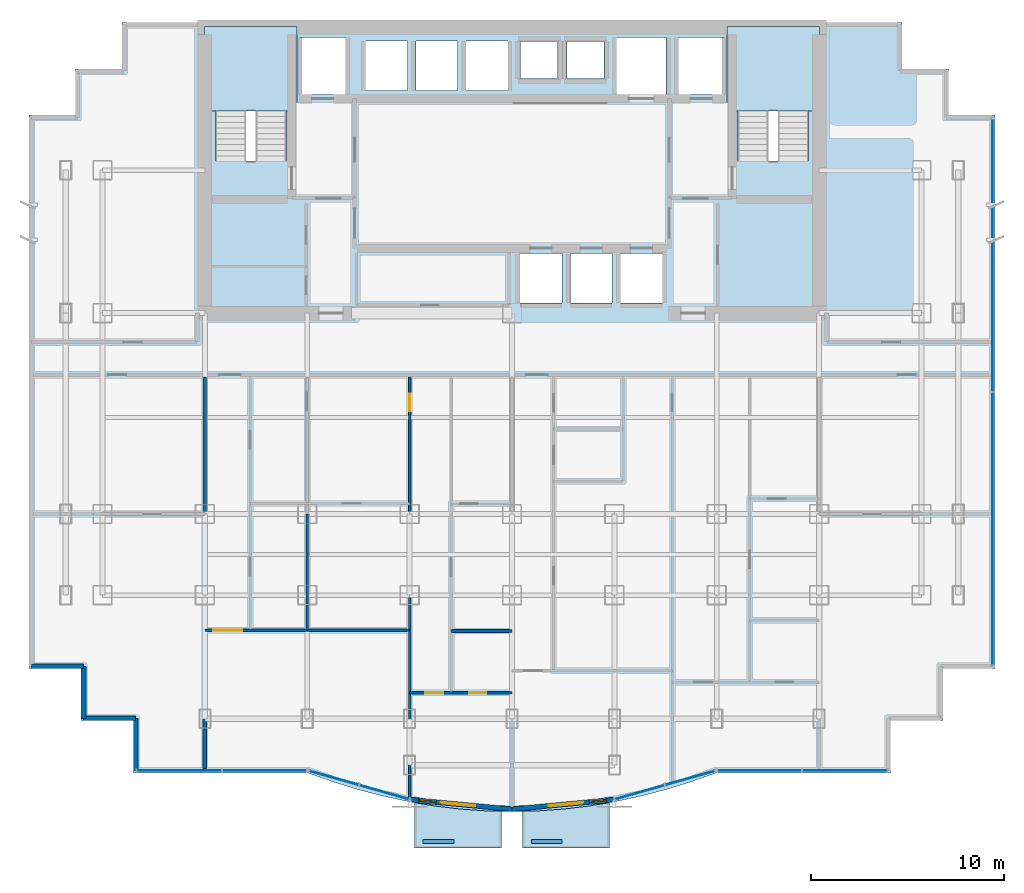
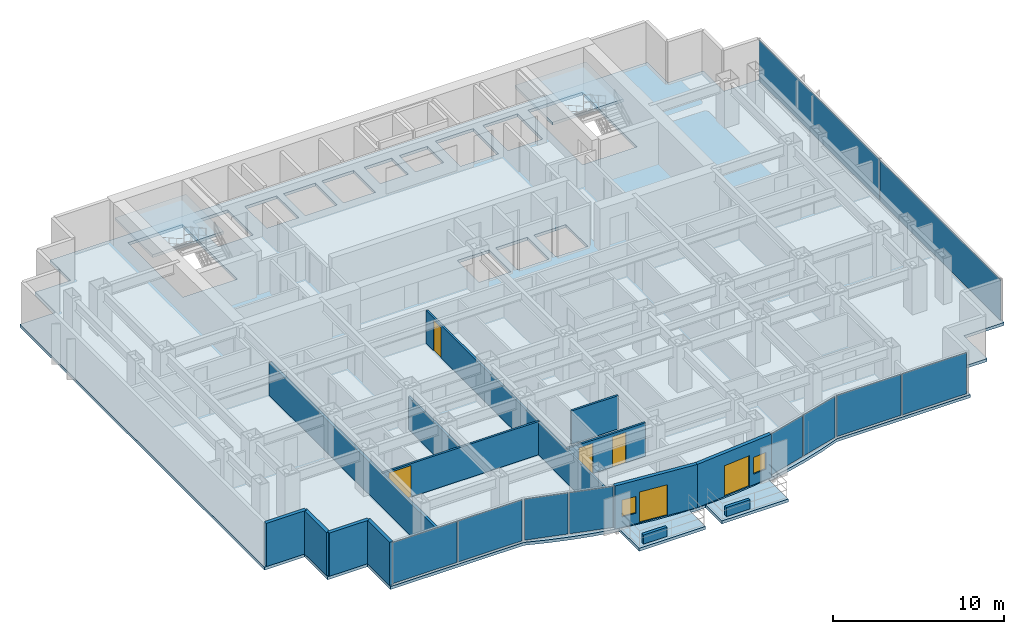
# One storey, part 6 of 12: 14 walls, 10 plates, 6 doors, 5 slabs, 2 windows, 8 openings, 7 elements without a shape of their own.
"""IFC4 building model written with IfcOpenShell, lengths in metres."""

import ifcopenshell
import ifcopenshell.guid

model = None  # the IFC model being written
_history = None  # IfcOwnerHistory: only IFC2X3 demands one
_inside = {}  # id of a spatial element -> (the spatial element, [elements in it])
_under = {}  # id of a project, library or spatial element -> (it, [spatial elements below it])
_declared = {}  # id of a project -> (the project, [libraries it declares])
_typed = {}  # id of a type object -> (the type object, [elements of that type])
_made_of = {}  # id of a material, layer set ... -> (it, [elements and type objects made of it])


def new_model(schema):
    """Start an empty IFC model of exactly this schema.

    Asked for "IFC4X3", IfcOpenShell would pick the latest addendum, in which some entities
    have other attributes; the version numbers below select the first issue.
    IFC2X3 requires an IfcOwnerHistory on every rooted entity: one is made here for all.
    """
    global model, _history
    if schema == "IFC4X3":
        model = ifcopenshell.file(schema_version=(4, 3, 0, 0))
    else:
        model = ifcopenshell.file(schema=schema)
    _inside.clear()
    _under.clear()
    _declared.clear()
    _typed.clear()
    _made_of.clear()
    _history = None
    if model.schema == "IFC2X3":
        org = make("IfcOrganization", Name="unknown")
        user = make(
            "IfcPersonAndOrganization",
            ThePerson=make("IfcPerson", FamilyName="unknown"),
            TheOrganization=org,
        )
        app = make(
            "IfcApplication",
            ApplicationDeveloper=org,
            Version="unknown",
            ApplicationFullName="unknown",
            ApplicationIdentifier="unknown",
        )
        _history = make(
            "IfcOwnerHistory",
            OwningUser=user,
            OwningApplication=app,
            ChangeAction="ADDED",
            CreationDate=0,
        )
    return model


def make(cls, **values):
    """One entity of the class cls with the attributes given. An attribute that is None is left unset."""
    return model.create_entity(
        cls, **{name: value for name, value in values.items() if value is not None}
    )


def rooted(cls, **values):
    """An entity with a GlobalId (a new one), such as an element, a storey or a relation."""
    return make(cls, GlobalId=ifcopenshell.guid.new(), OwnerHistory=_history, **values)


def si_unit(unit_type, name, prefix=None):
    """IfcSIUnit, for example si_unit("LENGTHUNIT", "METRE", prefix="MILLI")."""
    return make("IfcSIUnit", UnitType=unit_type, Prefix=prefix, Name=name)


def assignment(units):
    """IfcUnitAssignment: the units of a project."""
    return None if units is None else make("IfcUnitAssignment", Units=units)


def point(xyz):
    """IfcCartesianPoint."""
    return None if xyz is None else make("IfcCartesianPoint", Coordinates=xyz)


def direction(xyz):
    """IfcDirection."""
    return None if xyz is None else make("IfcDirection", DirectionRatios=xyz)


def frame(location, z_axis=None, x_axis=None):
    """IfcAxis2Placement3D, a coordinate frame: its origin and axes. An axis left out is left unset."""
    return make(
        "IfcAxis2Placement3D",
        Location=point(location),
        Axis=direction(z_axis),
        RefDirection=direction(x_axis),
    )


def frame_2d(location, x_axis=None):
    """IfcAxis2Placement2D, a coordinate frame in the plane: its origin and x axis."""
    return make(
        "IfcAxis2Placement2D", Location=point(location), RefDirection=direction(x_axis)
    )


def origin():
    """The frame at (0, 0, 0) with its axes left unset."""
    return frame((0.0, 0.0, 0.0))


def origin_2d():
    """The frame at (0, 0) in the plane with its x axis left unset."""
    return frame_2d((0.0, 0.0))


def place(relative_to, where):
    """IfcLocalPlacement: puts the frame where relative to a parent placement (None: the world)."""
    return make(
        "IfcLocalPlacement", PlacementRelTo=relative_to, RelativePlacement=where
    )


def context(
    kind, dimensions, precision=None, world=None, true_north=None, identifier=None
):
    """IfcGeometricRepresentationContext, for example the 3D "Model" context."""
    return make(
        "IfcGeometricRepresentationContext",
        ContextIdentifier=identifier,
        ContextType=kind,
        CoordinateSpaceDimension=dimensions,
        Precision=precision,
        WorldCoordinateSystem=world,
        TrueNorth=true_north,
    )


def subcontext(parent, identifier, kind, view, scale=None):
    """IfcGeometricRepresentationSubContext, for example "Body" below "Model"."""
    return make(
        "IfcGeometricRepresentationSubContext",
        ContextIdentifier=identifier,
        ContextType=kind,
        ParentContext=parent,
        TargetScale=scale,
        TargetView=view,
    )


def project(units=None, contexts=None):
    """IfcProject with its units and contexts."""
    return rooted(
        "IfcProject",
        Name="project",
        RepresentationContexts=contexts,
        UnitsInContext=assignment(units),
    )


def spatial(cls, under=None, at=None, **own):
    """A site, building, storey or space (cls), placed at a placement, below another one or the project."""
    s = rooted(cls, ObjectPlacement=at, **own)
    if under is not None:
        _under.setdefault(under.id(), (under, []))[1].append(s)
    return s


def polyline(points):
    """IfcPolyline through the points."""
    return make("IfcPolyline", Points=[point(p) for p in points])


def profile(cls, at=None, kind="AREA", **sizes):
    """A parametric profile (cls). Its sizes go by their IFC names, for example OverallWidth=200.0."""
    return make(cls, ProfileType=kind, Position=at, **sizes)


def rectangle(**sizes):
    """IfcRectangleProfileDef."""
    return profile("IfcRectangleProfileDef", **sizes)


def outline(outer, holes=None, kind="AREA"):
    """IfcArbitraryClosedProfileDef: a profile drawn as a closed curve; with holes, ...WithVoids."""
    if holes is None:
        return make("IfcArbitraryClosedProfileDef", ProfileType=kind, OuterCurve=outer)
    return make(
        "IfcArbitraryProfileDefWithVoids",
        ProfileType=kind,
        OuterCurve=outer,
        InnerCurves=holes,
    )


def extrude(swept, where, along, depth):
    """IfcExtrudedAreaSolid: the profile swept, set in the frame where, extruded along a direction by depth."""
    return make(
        "IfcExtrudedAreaSolid",
        SweptArea=swept,
        Position=where,
        ExtrudedDirection=direction(along),
        Depth=depth,
    )


def shape(context_of_items, identifier, shape_type, items):
    """IfcShapeRepresentation: the items that make up one representation, for example the "Body"."""
    return make(
        "IfcShapeRepresentation",
        ContextOfItems=context_of_items,
        RepresentationIdentifier=identifier,
        RepresentationType=shape_type,
        Items=items,
    )


def source(mapping_origin, context_of_items, identifier, shape_type, items):
    """IfcRepresentationMap: a shape defined once, which mapped items show again and again."""
    return make(
        "IfcRepresentationMap",
        MappingOrigin=mapping_origin,
        MappedRepresentation=shape(context_of_items, identifier, shape_type, items),
    )


def transform(
    local_origin,
    x_axis=None,
    y_axis=None,
    z_axis=None,
    scale=None,
    scale2=None,
    scale3=None,
    uniform=True,
):
    """IfcCartesianTransformationOperator3D, or its non-uniform kind. x_axis, y_axis, z_axis: its Axis1, 2, 3."""
    if uniform:
        return make(
            "IfcCartesianTransformationOperator3D",
            Axis1=direction(x_axis),
            Axis2=direction(y_axis),
            LocalOrigin=point(local_origin),
            Scale=scale,
            Axis3=direction(z_axis),
        )
    return make(
        "IfcCartesianTransformationOperator3DnonUniform",
        Axis1=direction(x_axis),
        Axis2=direction(y_axis),
        LocalOrigin=point(local_origin),
        Scale=scale,
        Axis3=direction(z_axis),
        Scale2=scale2,
        Scale3=scale3,
    )


def mapped(mapping_source, mapping_target):
    """IfcMappedItem: shows the shape of a source again, moved by a transform."""
    return make(
        "IfcMappedItem", MappingSource=mapping_source, MappingTarget=mapping_target
    )


def material(Name=None, Category=None):
    """IfcMaterial."""
    return make("IfcMaterial", Name=Name, Category=Category)


def layer(
    of_material, thickness, ventilated=None, Name=None, Category=None, Priority=None
):
    """IfcMaterialLayer: one layer of a wall or slab, of a material (None: an air gap)."""
    return make(
        "IfcMaterialLayer",
        Material=of_material,
        LayerThickness=thickness,
        IsVentilated=ventilated,
        Name=Name,
        Category=Category,
        Priority=Priority,
    )


def layer_set(layers, Name=None):
    """IfcMaterialLayerSet."""
    return make("IfcMaterialLayerSet", MaterialLayers=layers, LayerSetName=Name)


def made_of(thing, what):
    """Note that an element or type object is made of a material, layer set ...; save() writes the relation."""
    if what is not None:
        _made_of.setdefault(what.id(), (what, []))[1].append(thing)
    return thing


def type_object(cls, material=None, **own):
    """A type object (cls), such as IfcWallType, which elements share."""
    return made_of(rooted(cls, **own), material)


def element(
    cls,
    number,
    at=None,
    inside=None,
    cuts=None,
    type_object=None,
    material=None,
    context=None,
    identifier="Body",
    shape_type=None,
    held_by="IfcProductDefinitionShape",
    body=None,
    shapes=None,
    **own,
):
    """One element of the class cls, such as IfcWall. Its Tag is "e" and its number.

    at: its placement. inside: the storey or other place that contains it. cuts: it is an
    opening in that element (IfcRelVoidsElement). A single representation is given by context,
    identifier, shape_type and body (its items); several are given by shapes. held_by: the class
    of the entity that holds the representations. save() writes the other relations.
    """
    e = rooted(cls, Tag="e%d" % number, ObjectPlacement=at, **own)
    if body is not None:
        shapes = [shape(context, identifier, shape_type, body)]
    if shapes is not None:
        e.Representation = make(held_by, Representations=shapes)
    if inside is not None:
        _inside.setdefault(inside.id(), (inside, []))[1].append(e)
    if cuts is not None:
        rooted(
            "IfcRelVoidsElement", RelatingBuildingElement=cuts, RelatedOpeningElement=e
        )
    if type_object is not None:
        _typed.setdefault(type_object.id(), (type_object, []))[1].append(e)
    return made_of(e, material)


def fill(opening, filler):
    """IfcRelFillsElement: the door or window that sits in an opening."""
    return rooted(
        "IfcRelFillsElement",
        RelatingOpeningElement=opening,
        RelatedBuildingElement=filler,
    )


def aggregate(whole, parts):
    """IfcRelAggregates: a whole, such as a stair, and the parts it consists of."""
    return rooted("IfcRelAggregates", RelatingObject=whole, RelatedObjects=parts)


def save(model, path):
    """Write the relations noted so far, then the file.

    IfcRelAggregates (storeys below a building ...), IfcRelContainedInSpatialStructure (elements
    in a storey), IfcRelDefinesByType, IfcRelAssociatesMaterial and IfcRelDeclares: one each for
    every whole, place, type object, material and project.
    """
    for whole, parts in _under.values():
        aggregate(whole, parts)
    for where, things in _inside.values():
        rooted(
            "IfcRelContainedInSpatialStructure",
            RelatedElements=things,
            RelatingStructure=where,
        )
    for kind, things in _typed.values():
        rooted("IfcRelDefinesByType", RelatedObjects=things, RelatingType=kind)
    for what, things in _made_of.values():
        rooted("IfcRelAssociatesMaterial", RelatedObjects=things, RelatingMaterial=what)
    for by, libraries in _declared.values():
        rooted("IfcRelDeclares", RelatingContext=by, RelatedDefinitions=libraries)
    model.write(path)


model = new_model("IFC4")

# Units and contexts
model_context = context("Model", 3, precision=1e-05, world=origin(), true_north=direction((0.0, 1.0)))
body_context = subcontext(model_context, "Body", "Model", "MODEL_VIEW")
ifc_project = project(units=[si_unit("LENGTHUNIT", "METRE"), si_unit("AREAUNIT", "SQUARE_METRE"), si_unit("VOLUMEUNIT", "CUBIC_METRE"), si_unit("PLANEANGLEUNIT", "RADIAN"), si_unit("MASSUNIT", "GRAM", prefix="KILO")], contexts=[model_context])

# Site, building, storey
site_placement = place(None, origin())
site = spatial("IfcSite", under=ifc_project, at=site_placement, CompositionType="ELEMENT")
building_placement = place(site_placement, origin())
building = spatial("IfcBuilding", under=site, at=building_placement, Name="Qianlan Lanfeng Residences", CompositionType="ELEMENT")
storey_placement = place(building_placement, frame((0.0, 0.0, 101.5)))
storey = spatial("IfcBuildingStorey", under=building, at=storey_placement, Name="L27", CompositionType="ELEMENT", Elevation=101.5)

# Slabs
ifc_material_1 = material(Name="Concrete C42", Category="concrete")
ifc_layer_1 = layer(ifc_material_1, 0.2099609375)
ifc_layer_set_1 = layer_set([ifc_layer_1], Name="Concrete C42")
slab_type_1 = type_object("IfcSlabType", Name="S-BAL-210", PredefinedType="FLOOR", material=ifc_layer_set_1)
slab_1_placement = place(storey_placement, frame((0.0, 0.0, -0.2099609375)))
element("IfcSlab", 1, at=slab_1_placement, inside=storey, type_object=slab_type_1, Name="L27 Planted Tree Balcony Slab SB-W", PredefinedType="FLOOR", context=body_context, shape_type="SweptSolid", body=[
    extrude(outline(polyline([(25.949951171875, -0.5869140625), (25.177001953125, -0.569091796875), (23.85498046875, -0.47509765625), (22.531982421875, -0.319091796875), (21.449951171875, -0.139892578125), (21.449951171875, -2.5), (25.949951171875, -2.5), (25.949951171875, -0.5869140625)])), origin(), (0.0, 0.0, 1.0), 0.2099609375),
])
slab_2_placement = place(storey_placement, frame((0.0, 0.0, -0.2099609375)))
element("IfcSlab", 2, at=slab_2_placement, inside=storey, type_object=slab_type_1, Name="L27 Planted Tree Balcony Slab SB-E", PredefinedType="FLOOR", context=body_context, shape_type="SweptSolid", body=[
    extrude(outline(polyline([(31.550048828125, -0.139892578125), (30.467041015625, -0.319091796875), (29.14501953125, -0.47509765625), (27.822021484375, -0.569091796875), (27.050048828125, -0.5869140625), (27.050048828125, -2.5), (31.550048828125, -2.5), (31.550048828125, -0.139892578125)])), origin(), (0.0, 0.0, 1.0), 0.2099609375),
])
ifc_layer_2 = layer(ifc_material_1, 0.2099609375)
ifc_layer_set_2 = layer_set([ifc_layer_2], Name="Concrete C42")
slab_type_2 = type_object("IfcSlabType", Name="S-FL-210", PredefinedType="FLOOR", material=ifc_layer_set_2)
slab_3_placement = place(storey_placement, frame((0.0, 0.0, -0.2099609375)))
element("IfcSlab", 3, at=slab_3_placement, inside=storey, type_object=slab_type_2, Name="L27 Structural Floor Slab", PredefinedType="FLOOR", context=body_context, shape_type="SweptSolid", body=[
    extrude(outline(polyline([(1.5, 6.800048828125), (4.199951171875, 6.800048828125), (4.199951171875, 4.10009765625), (6.89990234375, 4.10009765625), (6.89990234375, 1.39990234375), (15.919921875, 1.39990234375), (17.241943359375, 0.930908203125), (18.56494140625, 0.52490234375), (19.886962890625, 0.180908203125), (21.2099609375, -0.10009765625), (22.531982421875, -0.319091796875), (23.85498046875, -0.47509765625), (25.177001953125, -0.569091796875), (26.5, -0.60009765625), (27.822021484375, -0.569091796875), (29.14501953125, -0.47509765625), (30.467041015625, -0.319091796875), (31.7900390625, -0.10009765625), (33.112060546875, 0.180908203125), (34.43505859375, 0.52490234375), (35.758056640625, 0.930908203125), (37.080078125, 1.39990234375), (46.10009765625, 1.39990234375), (46.10009765625, 4.10009765625), (48.800048828125, 4.10009765625), (48.800048828125, 6.800048828125), (51.5, 6.800048828125), (51.5, 35.449951171875), (49.10009765625, 35.449951171875), (49.10009765625, 37.85009765625), (46.699951171875, 37.85009765625), (46.699951171875, 40.25), (6.300048828125, 40.25), (6.300048828125, 37.85009765625), (3.89990234375, 37.85009765625), (3.89990234375, 35.449951171875), (1.5, 35.449951171875), (1.5, 6.800048828125)]), holes=[polyline([(11.139892578125, 33.080078125), (11.139892578125, 39.5), (14.820068359375, 39.5), (14.820068359375, 33.080078125), (11.139892578125, 33.080078125)]), polyline([(38.179931640625, 33.080078125), (38.179931640625, 39.5), (41.860107421875, 39.5), (41.860107421875, 33.080078125), (38.179931640625, 33.080078125)]), polyline([(15.52001953125, 36.52001953125), (15.52001953125, 39.47998046875), (17.8798828125, 39.47998046875), (17.8798828125, 36.52001953125), (15.52001953125, 36.52001953125)]), polyline([(35.1201171875, 36.52001953125), (35.1201171875, 39.47998046875), (37.47998046875, 39.47998046875), (37.47998046875, 36.52001953125), (35.1201171875, 36.52001953125)]), polyline([(31.919921875, 36.52001953125), (31.919921875, 39.47998046875), (34.47998046875, 39.47998046875), (34.47998046875, 36.52001953125), (31.919921875, 36.52001953125)]), polyline([(26.919921875, 25.719970703125), (26.919921875, 28.280029296875), (29.080078125, 28.280029296875), (29.080078125, 25.719970703125), (26.919921875, 25.719970703125)]), polyline([(29.52001953125, 25.719970703125), (29.52001953125, 28.280029296875), (31.679931640625, 28.280029296875), (31.679931640625, 25.719970703125), (29.52001953125, 25.719970703125)]), polyline([(32.1201171875, 25.719970703125), (32.1201171875, 28.280029296875), (34.280029296875, 28.280029296875), (34.280029296875, 25.719970703125), (32.1201171875, 25.719970703125)]), polyline([(18.919921875, 36.719970703125), (18.919921875, 39.280029296875), (21.080078125, 39.280029296875), (21.080078125, 36.719970703125), (18.919921875, 36.719970703125)]), polyline([(21.52001953125, 36.719970703125), (21.52001953125, 39.280029296875), (23.679931640625, 39.280029296875), (23.679931640625, 36.719970703125), (21.52001953125, 36.719970703125)]), polyline([(24.1201171875, 36.719970703125), (24.1201171875, 39.280029296875), (26.280029296875, 39.280029296875), (26.280029296875, 36.719970703125), (24.1201171875, 36.719970703125)]), polyline([(26.949951171875, 37.35009765625), (26.949951171875, 39.25), (28.85009765625, 39.25), (28.85009765625, 37.35009765625), (26.949951171875, 37.35009765625)]), polyline([(29.35009765625, 37.35009765625), (29.35009765625, 39.25), (31.25, 39.25), (31.25, 37.35009765625), (29.35009765625, 37.35009765625)])]), origin(), (0.0, 0.0, 1.0), 0.2099609375),
])

# Stair, slab
stair_type = type_object("IfcStairType", Name="STR-MAIN", PredefinedType="HALF_TURN_STAIR", material=ifc_material_1)
stair_1_placement = place(storey_placement, origin())
stair_1 = element("IfcStair", 4, at=stair_1_placement, inside=storey, type_object=stair_type, Name="L27 Exit Stair ST-1", PredefinedType="HALF_TURN_STAIR")
ifc_layer_3 = layer(ifc_material_1, 0.179931640625)
ifc_layer_set_3 = layer_set([ifc_layer_3], Name="Concrete C42")
slab_type_3 = type_object("IfcSlabType", Name="S-LND-180", PredefinedType="LANDING", material=ifc_layer_set_3)
slab_4_placement = place(storey_placement, frame((0.0, 0.0, 1.449951171875)))
slab_4 = element("IfcSlab", 5, at=slab_4_placement, type_object=slab_type_3, Name="ST-1 landing 1", PredefinedType="LANDING", context=body_context, shape_type="SweptSolid", body=[
    extrude(outline(polyline([(10.580078125, 35.659912109375), (15.3798828125, 35.659912109375), (15.3798828125, 40.050048828125), (10.580078125, 40.050048828125), (10.580078125, 35.659912109375)])), origin(), (0.0, 0.0, 1.0), 0.199951171875),
])
aggregate(stair_1, [slab_4])

stair_2_placement = place(storey_placement, origin())
stair_2 = element("IfcStair", 6, at=stair_2_placement, inside=storey, type_object=stair_type, Name="L27 Exit Stair ST-2", PredefinedType="HALF_TURN_STAIR")
slab_5_placement = place(storey_placement, frame((0.0, 0.0, 1.449951171875)))
slab_5 = element("IfcSlab", 7, at=slab_5_placement, type_object=slab_type_3, Name="ST-2 landing 1", PredefinedType="LANDING", context=body_context, shape_type="SweptSolid", body=[
    extrude(outline(polyline([(37.6201171875, 35.659912109375), (42.419921875, 35.659912109375), (42.419921875, 40.050048828125), (37.6201171875, 40.050048828125), (37.6201171875, 35.659912109375)])), origin(), (0.0, 0.0, 1.0), 0.199951171875),
])
aggregate(stair_2, [slab_5])

# Curtain wall, plates
ifc_material_2 = material(Name="Anodised Bronze Aluminium 6063-T6", Category="aluminium")
ifc_layer_4 = layer(ifc_material_2, 0.219970703125)
ifc_layer_set_4 = layer_set([ifc_layer_4], Name="Anodised Bronze Aluminium 6063-T6")
curtain_wall_type = type_object("IfcCurtainWallType", Name="CW-03", PredefinedType="NOTDEFINED", material=ifc_layer_set_4)
curtain_wall_1_placement = place(storey_placement, origin())
curtain_wall_1 = element("IfcCurtainWall", 8, at=curtain_wall_1_placement, inside=storey, type_object=curtain_wall_type, Name="L27 Unitised Curtain Wall CWR-L27-01 (CW-03)", PredefinedType="NOTDEFINED")
ifc_material_3 = material(Name="Clear Low-E Insulated Glass", Category="glass")
ifc_layer_5 = layer(ifc_material_3, 0.035888671875)
ifc_layer_set_5 = layer_set([ifc_layer_5], Name="Clear Low-E Insulated Glass")
plate_type_1 = type_object("IfcPlateType", Name="PNL-GLZ-CLR", PredefinedType="CURTAIN_PANEL", material=ifc_layer_set_5)
shared_shape_1 = source(origin(), body_context, "Body", "SweptSolid", [
    extrude(rectangle(XDim=4.342529296875, YDim=0.035888671875, at=origin_2d()), origin(), (0.0, 0.0, 1.0), 2.931884765625),
])
plate_1_placement = place(storey_placement, frame((9.270263671875, 1.52001953125, 0.0791015625), z_axis=(0.0, 0.0, 1.0), x_axis=(1.0, 0.0, 0.0)))
plate_1 = element("IfcPlate", 9, at=plate_1_placement, type_object=plate_type_1, Name="CWR-L27-01 Curtain Panel 1", PredefinedType="CURTAIN_PANEL", context=body_context, shape_type="MappedRepresentation", body=[
    mapped(shared_shape_1, transform((0.0, 0.0, 0.0), scale=1.0)),
])
plate_2_placement = place(storey_placement, frame((13.690673828125, 1.52001953125, 0.0791015625), z_axis=(0.0, 0.0, 1.0), x_axis=(1.0, 0.0, 0.0)))
plate_2 = element("IfcPlate", 10, at=plate_2_placement, type_object=plate_type_1, Name="CWR-L27-01 Curtain Panel 2", PredefinedType="CURTAIN_PANEL", context=body_context, shape_type="MappedRepresentation", body=[
    mapped(shared_shape_1, transform((0.0, 0.0, 0.0), scale=1.0)),
])
aggregate(curtain_wall_1, [plate_1, plate_2])

# Curtain wall, plate
curtain_wall_2_placement = place(storey_placement, origin())
curtain_wall_2 = element("IfcCurtainWall", 11, at=curtain_wall_2_placement, inside=storey, type_object=curtain_wall_type, Name="L27 Unitised Curtain Wall CWR-L27-04 (CW-03)", PredefinedType="NOTDEFINED")
plate_3_placement = place(storey_placement, frame((39.30908203125, 1.52001953125, 0.0791015625), z_axis=(0.0, 0.0, 1.0), x_axis=(1.0, 0.0, 0.0)))
plate_3 = element("IfcPlate", 12, at=plate_3_placement, type_object=plate_type_1, Name="CWR-L27-04 Curtain Panel 1", PredefinedType="CURTAIN_PANEL", context=body_context, shape_type="MappedRepresentation", body=[
    mapped(shared_shape_1, transform((0.0, 0.0, 0.0), scale=1.0)),
])

curtain_wall_3_placement = place(storey_placement, origin())
curtain_wall_3 = element("IfcCurtainWall", 13, at=curtain_wall_3_placement, inside=storey, type_object=curtain_wall_type, Name="L27 Unitised Curtain Wall CWR-L27-02 (CW-03)", PredefinedType="NOTDEFINED")
shared_shape_2 = source(origin(), body_context, "Body", "SweptSolid", [
    extrude(rectangle(XDim=2.632080078125, YDim=0.035888671875, at=origin_2d()), origin(), (0.0, 0.0, 1.0), 2.931884765625),
])
plate_4_placement = place(storey_placement, frame((17.282958984375, 1.138916015625, 0.0791015625), z_axis=(0.0, 0.0, 1.0), x_axis=(0.961989074302, -0.273087936247, 0.0)))
plate_4 = element("IfcPlate", 14, at=plate_4_placement, type_object=plate_type_1, Name="CWR-L27-02 Curtain Panel 1", PredefinedType="CURTAIN_PANEL", context=body_context, shape_type="MappedRepresentation", body=[
    mapped(shared_shape_2, transform((0.0, 0.0, 0.0), scale=1.0)),
])

# Curtain wall, plates
curtain_wall_4_placement = place(storey_placement, origin())
curtain_wall_4 = element("IfcCurtainWall", 15, at=curtain_wall_4_placement, inside=storey, type_object=curtain_wall_type, Name="L27 Unitised Curtain Wall CWR-L27-03 (CW-03)", PredefinedType="NOTDEFINED")
plate_5_placement = place(storey_placement, frame((33.110107421875, 0.39892578125, 0.0791015625), z_axis=(0.0, 0.0, 1.0), x_axis=(0.961989074302, 0.273087936247, 0.0)))
plate_5 = element("IfcPlate", 16, at=plate_5_placement, type_object=plate_type_1, Name="CWR-L27-03 Curtain Panel 1", PredefinedType="CURTAIN_PANEL", context=body_context, shape_type="MappedRepresentation", body=[
    mapped(shared_shape_2, transform((0.0, 0.0, 0.0), scale=1.0)),
])
plate_6_placement = place(storey_placement, frame((35.717041015625, 1.138916015625, 0.0791015625), z_axis=(0.0, 0.0, 1.0), x_axis=(0.961989074302, 0.273087936247, 0.0)))
plate_6 = element("IfcPlate", 17, at=plate_6_placement, type_object=plate_type_1, Name="CWR-L27-03 Curtain Panel 2", PredefinedType="CURTAIN_PANEL", context=body_context, shape_type="MappedRepresentation", body=[
    mapped(shared_shape_2, transform((0.0, 0.0, 0.0), scale=1.0)),
])
aggregate(curtain_wall_4, [plate_5, plate_6])

# Plate
ifc_material_4 = material(Name="Perforated Anodised Bronze Aluminium Panel", Category="aluminium")
ifc_layer_6 = layer(ifc_material_4, 0.0419921875)
ifc_layer_set_6 = layer_set([ifc_layer_6], Name="Perforated Anodised Bronze Aluminium Panel")
plate_type_2 = type_object("IfcPlateType", Name="PNL-PRF-BRZ", PredefinedType="CURTAIN_PANEL", material=ifc_layer_set_6)
shared_shape_3 = source(origin(), body_context, "Body", "SweptSolid", [
    extrude(rectangle(XDim=2.632080078125, YDim=0.0419921875, at=origin_2d()), origin(), (0.0, 0.0, 1.0), 2.931884765625),
])
plate_7_placement = place(storey_placement, frame((19.889892578125, 0.39892578125, 0.0791015625), z_axis=(0.0, 0.0, 1.0), x_axis=(0.961989074302, -0.273087936247, 0.0)))
plate_7 = element("IfcPlate", 18, at=plate_7_placement, type_object=plate_type_2, Name="CWR-L27-02 Curtain Panel 2", PredefinedType="CURTAIN_PANEL", context=body_context, shape_type="MappedRepresentation", body=[
    mapped(shared_shape_3, transform((0.0, 0.0, 0.0), scale=1.0)),
])

aggregate(curtain_wall_3, [plate_4, plate_7])

shared_shape_4 = source(origin(), body_context, "Body", "SweptSolid", [
    extrude(rectangle(XDim=4.342529296875, YDim=0.0419921875, at=origin_2d()), origin(), (0.0, 0.0, 1.0), 2.931884765625),
])
plate_8_placement = place(storey_placement, frame((43.729736328125, 1.52001953125, 0.0791015625), z_axis=(0.0, 0.0, 1.0), x_axis=(1.0, 0.0, 0.0)))
plate_8 = element("IfcPlate", 19, at=plate_8_placement, type_object=plate_type_2, Name="CWR-L27-04 Curtain Panel 2", PredefinedType="CURTAIN_PANEL", context=body_context, shape_type="MappedRepresentation", body=[
    mapped(shared_shape_4, transform((0.0, 0.0, 0.0), scale=1.0)),
])

aggregate(curtain_wall_2, [plate_3, plate_8])

# Curtain wall, plates
curtain_wall_5_placement = place(storey_placement, origin())
curtain_wall_5 = element("IfcCurtainWall", 20, at=curtain_wall_5_placement, inside=storey, type_object=curtain_wall_type, Name="L27 Unitised Curtain Wall CWR-L27-05 (CW-03)", PredefinedType="NOTDEFINED")
shared_shape_5 = source(origin(), body_context, "Body", "SweptSolid", [
    extrude(rectangle(XDim=14.0869140625, YDim=0.035888671875, at=origin_2d()), origin(), (0.0, 0.0, 1.0), 2.931884765625),
])
plate_9_placement = place(storey_placement, frame((51.3798828125, 14.04248046875, 0.0791015625), z_axis=(0.0, 0.0, 1.0), x_axis=(0.0, 1.0, 0.0)))
plate_9 = element("IfcPlate", 21, at=plate_9_placement, type_object=plate_type_1, Name="CWR-L27-05 Curtain Panel 1", PredefinedType="CURTAIN_PANEL", context=body_context, shape_type="MappedRepresentation", body=[
    mapped(shared_shape_5, transform((0.0, 0.0, 0.0), scale=1.0)),
])
plate_10_placement = place(storey_placement, frame((51.3798828125, 28.20751953125, 0.0791015625), z_axis=(0.0, 0.0, 1.0), x_axis=(0.0, 1.0, 0.0)))
plate_10 = element("IfcPlate", 22, at=plate_10_placement, type_object=plate_type_1, Name="CWR-L27-05 Curtain Panel 2", PredefinedType="CURTAIN_PANEL", context=body_context, shape_type="MappedRepresentation", body=[
    mapped(shared_shape_5, transform((0.0, 0.0, 0.0), scale=1.0)),
])
aggregate(curtain_wall_5, [plate_9, plate_10])

# Walls
ifc_layer_7 = layer(ifc_material_1, 0.239990234375)
ifc_layer_set_7 = layer_set([ifc_layer_7], Name="Concrete C42")
wall_type_1 = type_object("IfcWallType", Name="EW-240", PredefinedType="SOLIDWALL", material=ifc_layer_set_7)
for number, where, z_axis, x_axis, name in (
    (23, (1.6201171875, 6.919921875, 0.0), (0.0, 0.0, 1.0), (1.0, 0.0, 0.0), "L27 Exterior Facade Spandrel Wall 1"),
    (24, (4.320068359375, 6.919921875, 0.0), (0.0, 0.0, 1.0), (0.0, -1.0, 0.0), "L27 Exterior Facade Spandrel Wall 2"),
    (25, (4.320068359375, 4.219970703125, 0.0), (0.0, 0.0, 1.0), (1.0, 0.0, 0.0), "L27 Exterior Facade Spandrel Wall 3"),
    (26, (7.02001953125, 4.219970703125, 0.0), (0.0, 0.0, 1.0), (0.0, -1.0, 0.0), "L27 Exterior Facade Spandrel Wall 4"),
):
    element("IfcWall", number, at=place(storey_placement, frame(where, z_axis=z_axis, x_axis=x_axis)), inside=storey, type_object=wall_type_1, Name=name, PredefinedType="SOLIDWALL", context=body_context, shape_type="SweptSolid", body=[
        extrude(rectangle(XDim=2.699951171875, YDim=0.239990234375, at=frame_2d((1.35009765625, 0.0))), origin(), (0.0, 0.0, 1.0), 3.090087890625),
    ])

# Wall, openings, door, window
wall_1_placement = place(storey_placement, frame((21.23193359375, 0.01806640625, 0.0), z_axis=(0.0, 0.0, 1.0), x_axis=(0.995560760834, -0.094121046997, 0.0)))
wall_1 = element("IfcWall", 27, at=wall_1_placement, inside=storey, type_object=wall_type_1, Name="L27 Terrace/Balcony Access Exterior Wall 5", PredefinedType="SOLIDWALL", context=body_context, shape_type="SweptSolid", body=[
    extrude(rectangle(XDim=5.29150390625, YDim=0.239990234375, at=frame_2d((2.645751953125, 0.0))), origin(), (0.0, 0.0, 1.0), 3.090087890625),
])
opening_1_placement = place(wall_1_placement, frame((1.576904296875, 0.0, 0.0)))
opening_1 = element("IfcOpeningElement", 28, at=opening_1_placement, cuts=wall_1, Name="Opening L27-D-SB-W", PredefinedType="OPENING", context=body_context, shape_type="SweptSolid", body=[
    extrude(rectangle(XDim=1.800048828125, YDim=2.199951171875, at=frame_2d((0.89990234375, 1.10009765625))), frame((0.0, 0.1298828125, 0.0), z_axis=(0.0, -1.0, 0.0), x_axis=(1.0, 0.0, 0.0)), (0.0, 0.0, 1.0), 0.260009765625),
])
opening_2_placement = place(wall_1_placement, frame((0.449951171875, 0.0, 0.75)))
opening_2 = element("IfcOpeningElement", 29, at=opening_2_placement, cuts=wall_1, Name="Opening W-04", PredefinedType="OPENING", context=body_context, shape_type="SweptSolid", body=[
    extrude(rectangle(XDim=0.89990234375, YDim=1.199951171875, at=frame_2d((0.449951171875, 0.60009765625))), frame((0.0, 0.1298828125, 0.0), z_axis=(0.0, -1.0, 0.0), x_axis=(1.0, 0.0, 0.0)), (0.0, 0.0, 1.0), 0.260009765625),
])
ifc_material_5 = material(Name="Anodised Bronze Aluminium Framed Glass", Category="aluminium")
door_type_1 = type_object("IfcDoorType", Name="DT-BAL1", OperationType="NOTDEFINED", PredefinedType="DOOR", material=ifc_material_5)
door_1_placement = place(opening_1_placement, frame((1.800048828125, 0.0, 0.0), z_axis=(0.0, 0.0, 1.0), x_axis=(-1.0, 0.0, 0.0)))
door_1 = element("IfcDoor", 30, at=door_1_placement, inside=storey, type_object=door_type_1, Name="L27 Exterior Access Door SB-W", OperationType="DOUBLE_DOOR_SLIDING", OverallHeight=2.199951171875, OverallWidth=1.800048828125, PredefinedType="DOOR", context=body_context, shape_type="SweptSolid", body=[
    extrude(rectangle(XDim=1.800048828125, YDim=2.199951171875, at=frame_2d((0.89990234375, 1.10009765625))), frame((0.0, 0.02490234375, 0.0), z_axis=(0.0, -1.0, 0.0), x_axis=(1.0, 0.0, 0.0)), (0.0, 0.0, 1.0), 0.050048828125),
])
fill(opening_1, door_1)
ifc_material_6 = material(Name="Anodised Bronze Aluminium Framed Double Glazing", Category="aluminium")
window_type = type_object("IfcWindowType", Name="W-04", PartitioningType="SINGLE_PANEL", PredefinedType="WINDOW", material=ifc_material_6)
window_1_placement = place(opening_2_placement, origin())
window_1 = element("IfcWindow", 31, at=window_1_placement, inside=storey, type_object=window_type, Name="L27 Exterior Window W-04", OverallHeight=1.199951171875, OverallWidth=0.89990234375, PartitioningType="SINGLE_PANEL", PredefinedType="WINDOW", context=body_context, shape_type="SweptSolid", body=[
    extrude(rectangle(XDim=0.89990234375, YDim=1.199951171875, at=frame_2d((0.449951171875, 0.60009765625))), frame((0.0, 0.030029296875, 0.0), z_axis=(0.0, -1.0, 0.0), x_axis=(1.0, 0.0, 0.0)), (0.0, 0.0, 1.0), 0.06005859375),
])
fill(opening_2, window_1)

wall_2_placement = place(storey_placement, frame((26.5, -0.47998046875, 0.0), z_axis=(0.0, 0.0, 1.0), x_axis=(0.995560760834, 0.094121046997, 0.0)))
wall_2 = element("IfcWall", 32, at=wall_2_placement, inside=storey, type_object=wall_type_1, Name="L27 Terrace/Balcony Access Exterior Wall 6", PredefinedType="SOLIDWALL", context=body_context, shape_type="SweptSolid", body=[
    extrude(rectangle(XDim=5.29150390625, YDim=0.239990234375, at=frame_2d((2.645751953125, 0.0))), origin(), (0.0, 0.0, 1.0), 3.090087890625),
])
opening_3_placement = place(wall_2_placement, frame((1.9140625, 0.0, 0.0)))
opening_3 = element("IfcOpeningElement", 33, at=opening_3_placement, cuts=wall_2, Name="Opening L27-D-SB-E", PredefinedType="OPENING", context=body_context, shape_type="SweptSolid", body=[
    extrude(rectangle(XDim=1.800048828125, YDim=2.199951171875, at=frame_2d((0.89990234375, 1.10009765625))), frame((0.0, 0.1298828125, 0.0), z_axis=(0.0, -1.0, 0.0), x_axis=(1.0, 0.0, 0.0)), (0.0, 0.0, 1.0), 0.260009765625),
])
opening_4_placement = place(wall_2_placement, frame((4.012939453125, 0.0, 0.75)))
opening_4 = element("IfcOpeningElement", 34, at=opening_4_placement, cuts=wall_2, Name="Opening W-04", PredefinedType="OPENING", context=body_context, shape_type="SweptSolid", body=[
    extrude(rectangle(XDim=0.89990234375, YDim=1.199951171875, at=frame_2d((0.449951171875, 0.60009765625))), frame((0.0, 0.1298828125, 0.0), z_axis=(0.0, -1.0, 0.0), x_axis=(1.0, 0.0, 0.0)), (0.0, 0.0, 1.0), 0.260009765625),
])
door_2_placement = place(opening_3_placement, frame((1.800048828125, 0.0, 0.0), z_axis=(0.0, 0.0, 1.0), x_axis=(-1.0, 0.0, 0.0)))
door_2 = element("IfcDoor", 35, at=door_2_placement, inside=storey, type_object=door_type_1, Name="L27 Exterior Access Door SB-E", OperationType="DOUBLE_DOOR_SLIDING", OverallHeight=2.199951171875, OverallWidth=1.800048828125, PredefinedType="DOOR", context=body_context, shape_type="SweptSolid", body=[
    extrude(rectangle(XDim=1.800048828125, YDim=2.199951171875, at=frame_2d((0.89990234375, 1.10009765625))), frame((0.0, 0.02490234375, 0.0), z_axis=(0.0, -1.0, 0.0), x_axis=(1.0, 0.0, 0.0)), (0.0, 0.0, 1.0), 0.050048828125),
])
fill(opening_3, door_2)
window_2_placement = place(opening_4_placement, origin())
window_2 = element("IfcWindow", 36, at=window_2_placement, inside=storey, type_object=window_type, Name="L27 Exterior Window W-04", OverallHeight=1.199951171875, OverallWidth=0.89990234375, PartitioningType="SINGLE_PANEL", PredefinedType="WINDOW", context=body_context, shape_type="SweptSolid", body=[
    extrude(rectangle(XDim=0.89990234375, YDim=1.199951171875, at=frame_2d((0.449951171875, 0.60009765625))), frame((0.0, 0.030029296875, 0.0), z_axis=(0.0, -1.0, 0.0), x_axis=(1.0, 0.0, 0.0)), (0.0, 0.0, 1.0), 0.06005859375),
])
fill(opening_4, window_2)

# Walls
ifc_layer_8 = layer(ifc_material_1, 0.199951171875)
ifc_layer_set_8 = layer_set([ifc_layer_8], Name="Concrete C42")
wall_type_2 = type_object("IfcWallType", Name="PL-TREE-200", PredefinedType="PARAPET", material=ifc_layer_set_8)
for number, where, z_axis, x_axis, name in (
    (37, (21.89990234375, -2.14990234375, 0.0), (0.0, 0.0, 1.0), (1.0, 0.0, 0.0), "L27 Balcony Tree Planter Curb SB-W"),
    (38, (27.5, -2.14990234375, 0.0), (0.0, 0.0, 1.0), (1.0, 0.0, 0.0), "L27 Balcony Tree Planter Curb SB-E"),
):
    element("IfcWall", number, at=place(storey_placement, frame(where, z_axis=z_axis, x_axis=x_axis)), inside=storey, type_object=wall_type_2, Name=name, PredefinedType="PARAPET", context=body_context, shape_type="SweptSolid", body=[
        extrude(rectangle(XDim=1.60009765625, YDim=0.199951171875, at=frame_2d((0.800048828125, 0.0))), origin(), (0.0, 0.0, 1.0), 0.64990234375),
    ])

# Wall, opening, door
ifc_material_7 = material(Name="Moisture-Resistant Gypsum Partition 135 mm")
ifc_layer_9 = layer(ifc_material_7, 0.135009765625)
ifc_layer_set_9 = layer_set([ifc_layer_9], Name="Moisture-Resistant Gypsum Partition 135 mm")
wall_type_3 = type_object("IfcWallType", Name="PW-135", PredefinedType="PARTITIONING", material=ifc_layer_set_9)
wall_3_placement = place(storey_placement, frame((21.199951171875, 0.126953125, 0.0), z_axis=(0.0, 0.0, 1.0), x_axis=(0.0, 1.0, 0.0)))
wall_3 = element("IfcWall", 39, at=wall_3_placement, inside=storey, type_object=wall_type_3, Name="L27 U01 Bay Spine Wall 2", PredefinedType="PARTITIONING", context=body_context, shape_type="SweptSolid", body=[
    extrude(rectangle(XDim=21.77294921875, YDim=0.135009765625, at=frame_2d((10.886474609375, 0.0))), origin(), (0.0, 0.0, 1.0), 2.3349609375),
])
opening_5_placement = place(wall_3_placement, frame((19.988037109375, 0.0, 0.0)))
opening_5 = element("IfcOpeningElement", 40, at=opening_5_placement, cuts=wall_3, Name="Opening L27-D17", PredefinedType="OPENING", context=body_context, shape_type="SweptSolid", body=[
    extrude(rectangle(XDim=0.919921875, YDim=2.14990234375, at=frame_2d((0.4599609375, 1.074951171875))), frame((0.0, 0.07763671875, 0.0), z_axis=(0.0, -1.0, 0.0), x_axis=(1.0, 0.0, 0.0)), (0.0, 0.0, 1.0), 0.155029296875),
])
ifc_material_8 = material(Name="Glazed Timber Kitchen/Study Door", Category="wood")
door_type_2 = type_object("IfcDoorType", Name="DT-INT", OperationType="NOTDEFINED", PredefinedType="DOOR", material=ifc_material_8)
door_3_placement = place(opening_5_placement, origin())
door_3 = element("IfcDoor", 41, at=door_3_placement, inside=storey, type_object=door_type_2, Name="L27 U01 Internal Hall Door L27-D17 (DT-INT)", OperationType="SINGLE_SWING_RIGHT", OverallHeight=2.14990234375, OverallWidth=0.919921875, PredefinedType="DOOR", context=body_context, shape_type="SweptSolid", body=[
    extrude(rectangle(XDim=0.919921875, YDim=2.14990234375, at=frame_2d((0.4599609375, 1.074951171875))), frame((0.0, 0.02490234375, 0.0), z_axis=(0.0, -1.0, 0.0), x_axis=(1.0, 0.0, 0.0)), (0.0, 0.0, 1.0), 0.050048828125),
])
fill(opening_5, door_3)

# Wall
wall_4_placement = place(storey_placement, frame((15.89990234375, 8.7900390625, 0.0), z_axis=(0.0, 0.0, 1.0), x_axis=(0.0, 1.0, 0.0)))
element("IfcWall", 42, at=wall_4_placement, inside=storey, type_object=wall_type_3, Name="L27 U01 Mid Column Wall", PredefinedType="PARTITIONING", context=body_context, shape_type="SweptSolid", body=[
    extrude(rectangle(XDim=6.010009765625, YDim=0.135009765625, at=frame_2d((3.0048828125, 0.0))), origin(), (0.0, 0.0, 1.0), 2.3349609375),
])

# Wall, opening, door
wall_5_placement = place(storey_placement, frame((10.60009765625, 8.7900390625, 0.0), z_axis=(0.0, 0.0, 1.0), x_axis=(1.0, 0.0, 0.0)))
wall_5 = element("IfcWall", 43, at=wall_5_placement, inside=storey, type_object=wall_type_3, Name="L27 U01 Grand Living North Wall", PredefinedType="PARTITIONING", context=body_context, shape_type="SweptSolid", body=[
    extrude(rectangle(XDim=10.599853515625, YDim=0.135009765625, at=frame_2d((5.2998046875, 0.0))), origin(), (0.0, 0.0, 1.0), 2.3798828125),
])
opening_6_placement = place(wall_5_placement, frame((0.425048828125, 0.0, 0.0)))
opening_6 = element("IfcOpeningElement", 44, at=opening_6_placement, cuts=wall_5, Name="Opening L27-D18", PredefinedType="OPENING", context=body_context, shape_type="SweptSolid", body=[
    extrude(rectangle(XDim=1.5, YDim=2.25, at=frame_2d((0.75, 1.125))), frame((0.0, 0.07763671875, 0.0), z_axis=(0.0, -1.0, 0.0), x_axis=(1.0, 0.0, 0.0)), (0.0, 0.0, 1.0), 0.155029296875),
])
ifc_material_9 = material(Name="Timber Veneer Acoustic Fire Door", Category="wood")
door_type_3 = type_object("IfcDoorType", Name="DT-COR1", OperationType="NOTDEFINED", PredefinedType="DOOR", material=ifc_material_9)
door_4_placement = place(opening_6_placement, origin())
door_4 = element("IfcDoor", 45, at=door_4_placement, inside=storey, type_object=door_type_3, Name="L27 U01 Grand Living Door L27-D18 (DT-COR1)", OperationType="DOUBLE_DOOR_SINGLE_SWING", OverallHeight=2.25, OverallWidth=1.5, PredefinedType="DOOR", context=body_context, shape_type="SweptSolid", body=[
    extrude(rectangle(XDim=1.5, YDim=2.25, at=frame_2d((0.75, 1.125))), frame((0.0, 0.02490234375, 0.0), z_axis=(0.0, -1.0, 0.0), x_axis=(1.0, 0.0, 0.0)), (0.0, 0.0, 1.0), 0.050048828125),
])
fill(opening_6, door_4)

# Wall, openings, doors
wall_6_placement = place(storey_placement, frame((21.199951171875, 5.547119140625, 0.0), z_axis=(0.0, 0.0, 1.0), x_axis=(1.0, 0.0, 0.0)))
wall_6 = element("IfcWall", 46, at=wall_6_placement, inside=storey, type_object=wall_type_3, Name="L27 U01 Master Bedroom North Wall", PredefinedType="PARTITIONING", context=body_context, shape_type="SweptSolid", body=[
    extrude(rectangle(XDim=5.300048828125, YDim=0.135009765625, at=frame_2d((2.64990234375, 0.0))), origin(), (0.0, 0.0, 1.0), 2.3798828125),
])
opening_7_placement = place(wall_6_placement, frame((0.800048828125, 0.0, 0.0)))
opening_7 = element("IfcOpeningElement", 47, at=opening_7_placement, cuts=wall_6, Name="Opening L27-D22", PredefinedType="OPENING", context=body_context, shape_type="SweptSolid", body=[
    extrude(rectangle(XDim=0.949951171875, YDim=2.14990234375, at=frame_2d((0.47509765625, 1.074951171875))), frame((0.0, 0.07763671875, 0.0), z_axis=(0.0, -1.0, 0.0), x_axis=(1.0, 0.0, 0.0)), (0.0, 0.0, 1.0), 0.155029296875),
])
opening_8_placement = place(wall_6_placement, frame((3.074951171875, 0.0, 0.0)))
opening_8 = element("IfcOpeningElement", 48, at=opening_8_placement, cuts=wall_6, Name="Opening L27-D23", PredefinedType="OPENING", context=body_context, shape_type="SweptSolid", body=[
    extrude(rectangle(XDim=0.89990234375, YDim=2.14990234375, at=frame_2d((0.449951171875, 1.074951171875))), frame((0.0, 0.07763671875, 0.0), z_axis=(0.0, -1.0, 0.0), x_axis=(1.0, 0.0, 0.0)), (0.0, 0.0, 1.0), 0.155029296875),
])
ifc_material_10 = material(Name="Painted Solid-Core Timber Leaf", Category="wood")
door_type_4 = type_object("IfcDoorType", Name="DT-BED", OperationType="NOTDEFINED", PredefinedType="DOOR", material=ifc_material_10)
door_5_placement = place(opening_7_placement, origin())
door_5 = element("IfcDoor", 49, at=door_5_placement, inside=storey, type_object=door_type_4, Name="L27 U01 Master Bedroom Door L27-D22 (DT-BED)", OperationType="SINGLE_SWING_LEFT", OverallHeight=2.14990234375, OverallWidth=0.949951171875, PredefinedType="DOOR", context=body_context, shape_type="SweptSolid", body=[
    extrude(rectangle(XDim=0.949951171875, YDim=2.14990234375, at=frame_2d((0.47509765625, 1.074951171875))), frame((0.0, 0.02490234375, 0.0), z_axis=(0.0, -1.0, 0.0), x_axis=(1.0, 0.0, 0.0)), (0.0, 0.0, 1.0), 0.050048828125),
])
fill(opening_7, door_5)
ifc_material_11 = material(Name="Moisture-Resistant Timber Leaf", Category="wood")
door_type_5 = type_object("IfcDoorType", Name="DT-WC", OperationType="NOTDEFINED", PredefinedType="DOOR", material=ifc_material_11)
door_6_placement = place(opening_8_placement, origin())
door_6 = element("IfcDoor", 50, at=door_6_placement, inside=storey, type_object=door_type_5, Name="L27 U01 En-Suite Bathroom Door L27-D23 (DT-WC)", OperationType="SINGLE_SWING_RIGHT", OverallHeight=2.14990234375, OverallWidth=0.89990234375, PredefinedType="DOOR", context=body_context, shape_type="SweptSolid", body=[
    extrude(rectangle(XDim=0.89990234375, YDim=2.14990234375, at=frame_2d((0.449951171875, 1.074951171875))), frame((0.0, 0.02490234375, 0.0), z_axis=(0.0, -1.0, 0.0), x_axis=(1.0, 0.0, 0.0)), (0.0, 0.0, 1.0), 0.050048828125),
])
fill(opening_8, door_6)

# Walls
wall_7_placement = place(storey_placement, frame((23.35009765625, 8.7470703125, 0.0), z_axis=(0.0, 0.0, 1.0), x_axis=(1.0, 0.0, 0.0)))
element("IfcWall", 51, at=wall_7_placement, inside=storey, type_object=wall_type_3, Name="L27 U01 En-Suite North Wall", PredefinedType="PARTITIONING", context=body_context, shape_type="SweptSolid", body=[
    extrude(rectangle(XDim=3.14990234375, YDim=0.135009765625, at=frame_2d((1.574951171875, 0.0))), origin(), (0.0, 0.0, 1.0), 2.3798828125),
])
ifc_material_12 = material(Name="Double-Layer Acoustic Gypsum Stud Wall 180 mm")
ifc_layer_10 = layer(ifc_material_12, 0.179931640625)
ifc_layer_set_10 = layer_set([ifc_layer_10], Name="Double-Layer Acoustic Gypsum Stud Wall 180 mm")
wall_type_4 = type_object("IfcWallType", Name="PW-180", PredefinedType="PARTITIONING", material=ifc_layer_set_10)
wall_8_placement = place(storey_placement, frame((10.60009765625, 1.6201171875, 0.0), z_axis=(0.0, 0.0, 1.0), x_axis=(0.0, 1.0, 0.0)))
element("IfcWall", 52, at=wall_8_placement, inside=storey, type_object=wall_type_4, Name="L27 Wing Boundary Party Wall W0", PredefinedType="PARTITIONING", context=body_context, shape_type="SweptSolid", body=[
    extrude(rectangle(XDim=20.27978515625, YDim=0.179931640625, at=frame_2d((10.139892578125, 0.0))), origin(), (0.0, 0.0, 1.0), 2.3349609375),
])

save(model, "model.ifc")
